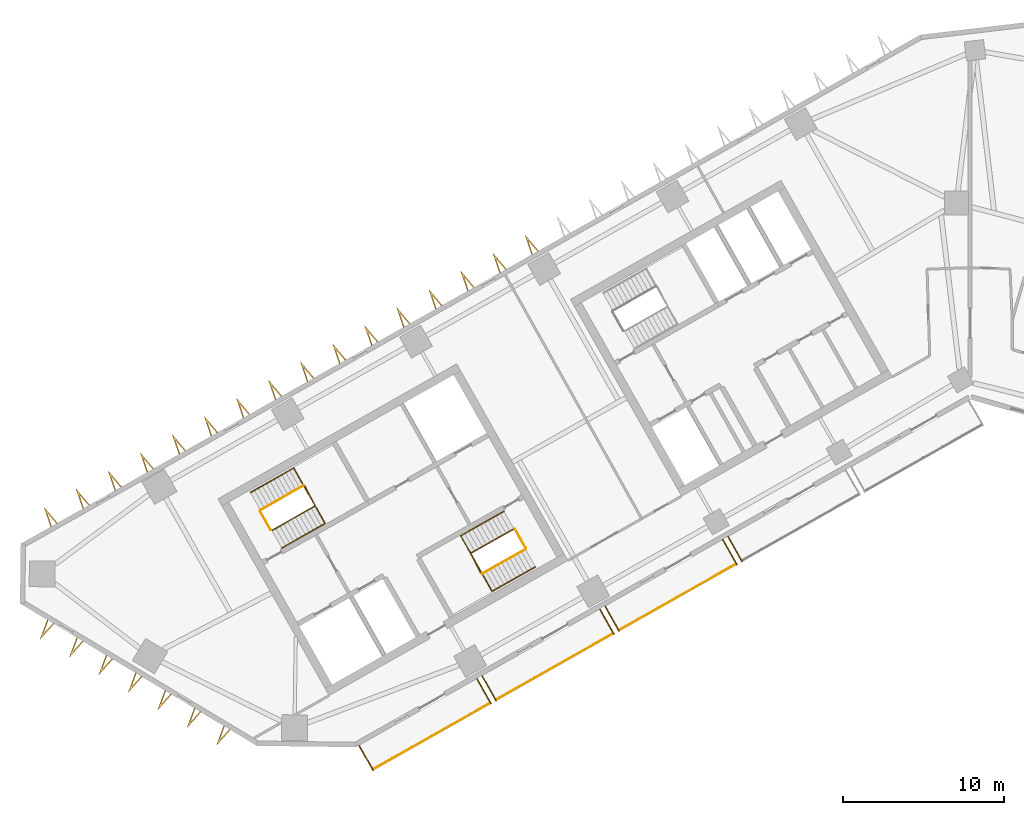
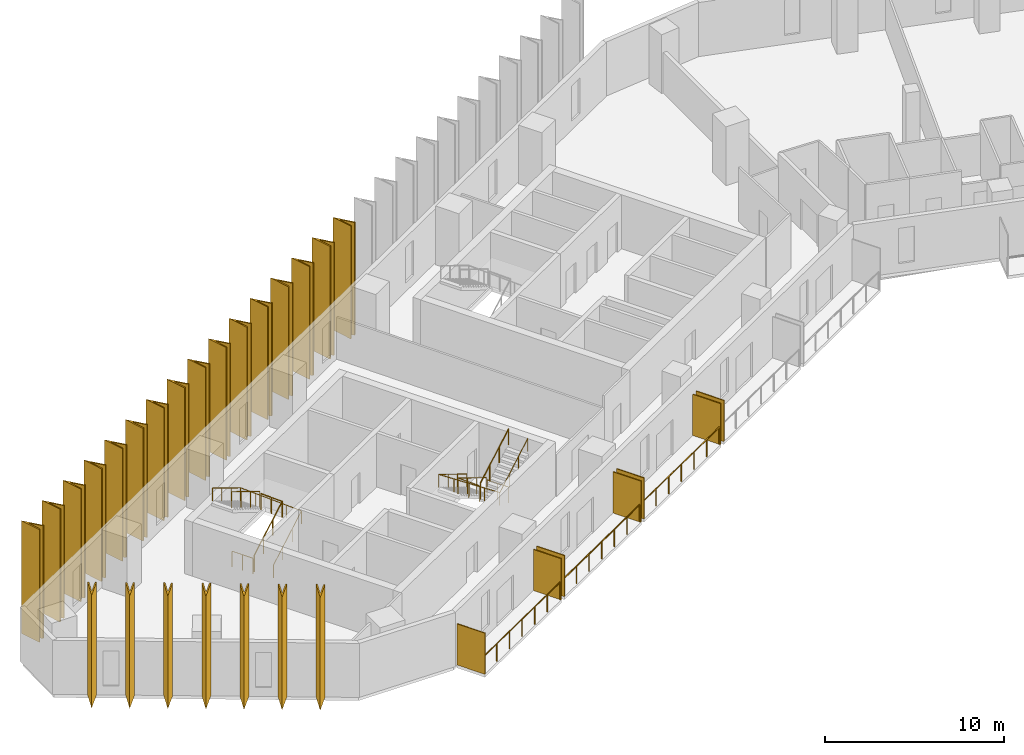
# One storey, part 8 of 10: 30 shading devices, 11 railings.
"""IFC4 building model written with IfcOpenShell, lengths in metres."""

import ifcopenshell
import ifcopenshell.guid

model = None  # the IFC model being written
_history = None  # IfcOwnerHistory: only IFC2X3 demands one
_inside = {}  # id of a spatial element -> (the spatial element, [elements in it])
_under = {}  # id of a project, library or spatial element -> (it, [spatial elements below it])
_declared = {}  # id of a project -> (the project, [libraries it declares])
_typed = {}  # id of a type object -> (the type object, [elements of that type])
_made_of = {}  # id of a material, layer set ... -> (it, [elements and type objects made of it])


def new_model(schema):
    """Start an empty IFC model of exactly this schema.

    Asked for "IFC4X3", IfcOpenShell would pick the latest addendum, in which some entities
    have other attributes; the version numbers below select the first issue.
    IFC2X3 requires an IfcOwnerHistory on every rooted entity: one is made here for all.
    """
    global model, _history
    if schema == "IFC4X3":
        model = ifcopenshell.file(schema_version=(4, 3, 0, 0))
    else:
        model = ifcopenshell.file(schema=schema)
    _inside.clear()
    _under.clear()
    _declared.clear()
    _typed.clear()
    _made_of.clear()
    _history = None
    if model.schema == "IFC2X3":
        org = make("IfcOrganization", Name="unknown")
        user = make(
            "IfcPersonAndOrganization",
            ThePerson=make("IfcPerson", FamilyName="unknown"),
            TheOrganization=org,
        )
        app = make(
            "IfcApplication",
            ApplicationDeveloper=org,
            Version="unknown",
            ApplicationFullName="unknown",
            ApplicationIdentifier="unknown",
        )
        _history = make(
            "IfcOwnerHistory",
            OwningUser=user,
            OwningApplication=app,
            ChangeAction="ADDED",
            CreationDate=0,
        )
    return model


def make(cls, **values):
    """One entity of the class cls with the attributes given. An attribute that is None is left unset."""
    return model.create_entity(
        cls, **{name: value for name, value in values.items() if value is not None}
    )


def rooted(cls, **values):
    """An entity with a GlobalId (a new one), such as an element, a storey or a relation."""
    return make(cls, GlobalId=ifcopenshell.guid.new(), OwnerHistory=_history, **values)


def si_unit(unit_type, name, prefix=None):
    """IfcSIUnit, for example si_unit("LENGTHUNIT", "METRE", prefix="MILLI")."""
    return make("IfcSIUnit", UnitType=unit_type, Prefix=prefix, Name=name)


def assignment(units):
    """IfcUnitAssignment: the units of a project."""
    return None if units is None else make("IfcUnitAssignment", Units=units)


def point(xyz):
    """IfcCartesianPoint."""
    return None if xyz is None else make("IfcCartesianPoint", Coordinates=xyz)


def direction(xyz):
    """IfcDirection."""
    return None if xyz is None else make("IfcDirection", DirectionRatios=xyz)


def frame(location, z_axis=None, x_axis=None):
    """IfcAxis2Placement3D, a coordinate frame: its origin and axes. An axis left out is left unset."""
    return make(
        "IfcAxis2Placement3D",
        Location=point(location),
        Axis=direction(z_axis),
        RefDirection=direction(x_axis),
    )


def frame_2d(location, x_axis=None):
    """IfcAxis2Placement2D, a coordinate frame in the plane: its origin and x axis."""
    return make(
        "IfcAxis2Placement2D", Location=point(location), RefDirection=direction(x_axis)
    )


def origin():
    """The frame at (0, 0, 0) with its axes left unset."""
    return frame((0.0, 0.0, 0.0))


def origin_2d():
    """The frame at (0, 0) in the plane with its x axis left unset."""
    return frame_2d((0.0, 0.0))


def place(relative_to, where):
    """IfcLocalPlacement: puts the frame where relative to a parent placement (None: the world)."""
    return make(
        "IfcLocalPlacement", PlacementRelTo=relative_to, RelativePlacement=where
    )


def context(
    kind, dimensions, precision=None, world=None, true_north=None, identifier=None
):
    """IfcGeometricRepresentationContext, for example the 3D "Model" context."""
    return make(
        "IfcGeometricRepresentationContext",
        ContextIdentifier=identifier,
        ContextType=kind,
        CoordinateSpaceDimension=dimensions,
        Precision=precision,
        WorldCoordinateSystem=world,
        TrueNorth=true_north,
    )


def subcontext(parent, identifier, kind, view, scale=None):
    """IfcGeometricRepresentationSubContext, for example "Body" below "Model"."""
    return make(
        "IfcGeometricRepresentationSubContext",
        ContextIdentifier=identifier,
        ContextType=kind,
        ParentContext=parent,
        TargetScale=scale,
        TargetView=view,
    )


def project(units=None, contexts=None):
    """IfcProject with its units and contexts."""
    return rooted(
        "IfcProject",
        Name="project",
        RepresentationContexts=contexts,
        UnitsInContext=assignment(units),
    )


def spatial(cls, under=None, at=None, **own):
    """A site, building, storey or space (cls), placed at a placement, below another one or the project."""
    s = rooted(cls, ObjectPlacement=at, **own)
    if under is not None:
        _under.setdefault(under.id(), (under, []))[1].append(s)
    return s


def polyline(points):
    """IfcPolyline through the points."""
    return make("IfcPolyline", Points=[point(p) for p in points])


def profile(cls, at=None, kind="AREA", **sizes):
    """A parametric profile (cls). Its sizes go by their IFC names, for example OverallWidth=200.0."""
    return make(cls, ProfileType=kind, Position=at, **sizes)


def rectangle(**sizes):
    """IfcRectangleProfileDef."""
    return profile("IfcRectangleProfileDef", **sizes)


def circle(**sizes):
    """IfcCircleProfileDef."""
    return profile("IfcCircleProfileDef", **sizes)


def outline(outer, holes=None, kind="AREA"):
    """IfcArbitraryClosedProfileDef: a profile drawn as a closed curve; with holes, ...WithVoids."""
    if holes is None:
        return make("IfcArbitraryClosedProfileDef", ProfileType=kind, OuterCurve=outer)
    return make(
        "IfcArbitraryProfileDefWithVoids",
        ProfileType=kind,
        OuterCurve=outer,
        InnerCurves=holes,
    )


def extrude(swept, where, along, depth):
    """IfcExtrudedAreaSolid: the profile swept, set in the frame where, extruded along a direction by depth."""
    return make(
        "IfcExtrudedAreaSolid",
        SweptArea=swept,
        Position=where,
        ExtrudedDirection=direction(along),
        Depth=depth,
    )


def shape(context_of_items, identifier, shape_type, items):
    """IfcShapeRepresentation: the items that make up one representation, for example the "Body"."""
    return make(
        "IfcShapeRepresentation",
        ContextOfItems=context_of_items,
        RepresentationIdentifier=identifier,
        RepresentationType=shape_type,
        Items=items,
    )


def material(Name=None, Category=None):
    """IfcMaterial."""
    return make("IfcMaterial", Name=Name, Category=Category)


def layer(
    of_material, thickness, ventilated=None, Name=None, Category=None, Priority=None
):
    """IfcMaterialLayer: one layer of a wall or slab, of a material (None: an air gap)."""
    return make(
        "IfcMaterialLayer",
        Material=of_material,
        LayerThickness=thickness,
        IsVentilated=ventilated,
        Name=Name,
        Category=Category,
        Priority=Priority,
    )


def layer_set(layers, Name=None):
    """IfcMaterialLayerSet."""
    return make("IfcMaterialLayerSet", MaterialLayers=layers, LayerSetName=Name)


def made_of(thing, what):
    """Note that an element or type object is made of a material, layer set ...; save() writes the relation."""
    if what is not None:
        _made_of.setdefault(what.id(), (what, []))[1].append(thing)
    return thing


def type_object(cls, material=None, **own):
    """A type object (cls), such as IfcWallType, which elements share."""
    return made_of(rooted(cls, **own), material)


def element(
    cls,
    number,
    at=None,
    inside=None,
    cuts=None,
    type_object=None,
    material=None,
    context=None,
    identifier="Body",
    shape_type=None,
    held_by="IfcProductDefinitionShape",
    body=None,
    shapes=None,
    **own,
):
    """One element of the class cls, such as IfcWall. Its Tag is "e" and its number.

    at: its placement. inside: the storey or other place that contains it. cuts: it is an
    opening in that element (IfcRelVoidsElement). A single representation is given by context,
    identifier, shape_type and body (its items); several are given by shapes. held_by: the class
    of the entity that holds the representations. save() writes the other relations.
    """
    e = rooted(cls, Tag="e%d" % number, ObjectPlacement=at, **own)
    if body is not None:
        shapes = [shape(context, identifier, shape_type, body)]
    if shapes is not None:
        e.Representation = make(held_by, Representations=shapes)
    if inside is not None:
        _inside.setdefault(inside.id(), (inside, []))[1].append(e)
    if cuts is not None:
        rooted(
            "IfcRelVoidsElement", RelatingBuildingElement=cuts, RelatedOpeningElement=e
        )
    if type_object is not None:
        _typed.setdefault(type_object.id(), (type_object, []))[1].append(e)
    return made_of(e, material)


def aggregate(whole, parts):
    """IfcRelAggregates: a whole, such as a stair, and the parts it consists of."""
    return rooted("IfcRelAggregates", RelatingObject=whole, RelatedObjects=parts)


def save(model, path):
    """Write the relations noted so far, then the file.

    IfcRelAggregates (storeys below a building ...), IfcRelContainedInSpatialStructure (elements
    in a storey), IfcRelDefinesByType, IfcRelAssociatesMaterial and IfcRelDeclares: one each for
    every whole, place, type object, material and project.
    """
    for whole, parts in _under.values():
        aggregate(whole, parts)
    for where, things in _inside.values():
        rooted(
            "IfcRelContainedInSpatialStructure",
            RelatedElements=things,
            RelatingStructure=where,
        )
    for kind, things in _typed.values():
        rooted("IfcRelDefinesByType", RelatedObjects=things, RelatingType=kind)
    for what, things in _made_of.values():
        rooted("IfcRelAssociatesMaterial", RelatedObjects=things, RelatingMaterial=what)
    for by, libraries in _declared.values():
        rooted("IfcRelDeclares", RelatingContext=by, RelatedDefinitions=libraries)
    model.write(path)


model = new_model("IFC4")

# Units and contexts
model_context = context("Model", 3, precision=1e-05, world=origin(), true_north=direction((0.0, 1.0)))
body_context = subcontext(model_context, "Body", "Model", "MODEL_VIEW")
ifc_project = project(units=[si_unit("LENGTHUNIT", "METRE"), si_unit("AREAUNIT", "SQUARE_METRE"), si_unit("VOLUMEUNIT", "CUBIC_METRE"), si_unit("PLANEANGLEUNIT", "RADIAN"), si_unit("MASSUNIT", "GRAM", prefix="KILO")], contexts=[model_context])

# Site, building, storey
site_placement = place(None, origin())
site = spatial("IfcSite", under=ifc_project, at=site_placement, CompositionType="ELEMENT")
building_placement = place(site_placement, origin())
building = spatial("IfcBuilding", under=site, at=building_placement, Name="Binnacle Exchange Tower", CompositionType="ELEMENT")
storey_placement = place(building_placement, frame((0.0, 0.0, 186.89990234375)))
storey = spatial("IfcBuildingStorey", under=building, at=storey_placement, Name="L40", CompositionType="ELEMENT", Elevation=186.89990234375)

# Railings
ifc_material_1 = material(Name="Bronze anodised aluminium frame", Category="aluminium")
railing_type_1 = type_object("IfcRailingType", Name="GUARD 1200", PredefinedType="GUARDRAIL", material=ifc_material_1)
railing_1_placement = place(storey_placement, frame((-36.994140625, 24.921142578125, 0.0)))
element("IfcRailing", 1, at=railing_1_placement, inside=storey, type_object=railing_type_1, Name="Balcony guard G01-B00 L40", PredefinedType="GUARDRAIL", context=body_context, shape_type="SweptSolid", body=[
    extrude(circle(Radius=0.02392578125, at=origin_2d()), frame((0.0, 0.0, 1.17578125), z_axis=(0.8703461643, 0.49244040684, 0.0), x_axis=(-0.49244040684, 0.8703461643, 0.0)), (0.0, 0.0, 1.0), 8.33447265625),
    extrude(circle(Radius=0.02099609375, at=origin_2d()), origin(), (0.0, 0.0, 1.0), 1.15185546875),
    extrude(circle(Radius=0.02099609375, at=origin_2d()), frame((1.208984375, 0.68408203125, 0.0)), (0.0, 0.0, 1.0), 1.15185546875),
    extrude(circle(Radius=0.02099609375, at=origin_2d()), frame((2.41796875, 1.3681640625, 0.0)), (0.0, 0.0, 1.0), 1.15185546875),
    extrude(circle(Radius=0.02099609375, at=origin_2d()), frame((3.626953125, 2.05224609375, 0.0)), (0.0, 0.0, 1.0), 1.15185546875),
    extrude(circle(Radius=0.02099609375, at=origin_2d()), frame((4.8359375, 2.736083984375, 0.0)), (0.0, 0.0, 1.0), 1.15185546875),
    extrude(circle(Radius=0.02099609375, at=origin_2d()), frame((6.044921875, 3.420166015625, 0.0)), (0.0, 0.0, 1.0), 1.15185546875),
    extrude(circle(Radius=0.02099609375, at=origin_2d()), frame((7.25390625, 4.104248046875, 0.0)), (0.0, 0.0, 1.0), 1.15185546875),
])
railing_2_placement = place(storey_placement, frame((-29.374755859375, 29.232177734375, 0.0)))
element("IfcRailing", 2, at=railing_2_placement, inside=storey, type_object=railing_type_1, Name="Balcony guard G01-B01 L40", PredefinedType="GUARDRAIL", context=body_context, shape_type="SweptSolid", body=[
    extrude(circle(Radius=0.02392578125, at=origin_2d()), frame((0.0, 0.0, 1.17578125), z_axis=(0.870365821494, 0.492405662818, 0.0), x_axis=(-0.492405662818, 0.870365821494, 0.0)), (0.0, 0.0, 1.0), 8.334716796875),
    extrude(circle(Radius=0.02099609375, at=origin_2d()), origin(), (0.0, 0.0, 1.0), 1.15185546875),
    extrude(circle(Radius=0.02099609375, at=origin_2d()), frame((1.208984375, 0.68408203125, 0.0)), (0.0, 0.0, 1.0), 1.15185546875),
    extrude(circle(Radius=0.02099609375, at=origin_2d()), frame((2.41796875, 1.367919921875, 0.0)), (0.0, 0.0, 1.0), 1.15185546875),
    extrude(circle(Radius=0.02099609375, at=origin_2d()), frame((3.626953125, 2.052001953125, 0.0)), (0.0, 0.0, 1.0), 1.15185546875),
    extrude(circle(Radius=0.02099609375, at=origin_2d()), frame((4.836181640625, 2.736083984375, 0.0)), (0.0, 0.0, 1.0), 1.15185546875),
    extrude(circle(Radius=0.02099609375, at=origin_2d()), frame((6.045166015625, 3.419921875, 0.0)), (0.0, 0.0, 1.0), 1.15185546875),
    extrude(circle(Radius=0.02099609375, at=origin_2d()), frame((7.254150390625, 4.10400390625, 0.0)), (0.0, 0.0, 1.0), 1.15185546875),
])
railing_3_placement = place(storey_placement, frame((-21.7548828125, 33.54296875, 0.0)))
element("IfcRailing", 3, at=railing_3_placement, inside=storey, type_object=railing_type_1, Name="Balcony guard G01-B02 L40", PredefinedType="GUARDRAIL", context=body_context, shape_type="SweptSolid", body=[
    extrude(circle(Radius=0.02392578125, at=origin_2d()), frame((0.0, 0.0, 1.17578125), z_axis=(0.870339060608, 0.492452961795, 0.0), x_axis=(-0.492452961795, 0.870339060608, 0.0)), (0.0, 0.0, 1.0), 8.334228515625),
    extrude(circle(Radius=0.02099609375, at=origin_2d()), origin(), (0.0, 0.0, 1.0), 1.15185546875),
    extrude(circle(Radius=0.02099609375, at=origin_2d()), frame((1.208984375, 0.68408203125, 0.0)), (0.0, 0.0, 1.0), 1.15185546875),
    extrude(circle(Radius=0.02099609375, at=origin_2d()), frame((2.41796875, 1.3681640625, 0.0)), (0.0, 0.0, 1.0), 1.15185546875),
    extrude(circle(Radius=0.02099609375, at=origin_2d()), frame((3.626953125, 2.05224609375, 0.0)), (0.0, 0.0, 1.0), 1.15185546875),
    extrude(circle(Radius=0.02099609375, at=origin_2d()), frame((4.835693359375, 2.736083984375, 0.0)), (0.0, 0.0, 1.0), 1.15185546875),
    extrude(circle(Radius=0.02099609375, at=origin_2d()), frame((6.044677734375, 3.420166015625, 0.0)), (0.0, 0.0, 1.0), 1.15185546875),
    extrude(circle(Radius=0.02099609375, at=origin_2d()), frame((7.253662109375, 4.104248046875, 0.0)), (0.0, 0.0, 1.0), 1.15185546875),
])

# Shading devices
ifc_material_2 = material(Name="Bronze aluminium louvre", Category="aluminium")
ifc_layer = layer(ifc_material_2, 0.06005859375)
ifc_layer_set = layer_set([ifc_layer], Name="PLANTED SCREEN 60x2800")
shading_device_type_1 = type_object("IfcShadingDeviceType", Name="PLANTED SCREEN 60x2800", PredefinedType="USERDEFINED", material=ifc_layer_set)
for number, where, z_axis, x_axis, name in (
    (4, (-37.424072265625, 25.6201171875, 0.0), (0.0, 0.0, 1.0), (0.87035569594, 0.492423560103, 0.0), "Planted screen G01-B00a L40"),
    (5, (-30.117919921875, 29.753662109375, 0.0), (0.0, 0.0, 1.0), (0.87035569594, 0.492423560103, 0.0), "Planted screen G01-B00b L40"),
    (6, (-29.8046875, 29.930908203125, 0.0), (0.0, 0.0, 1.0), (0.87035569594, 0.492423560103, 0.0), "Planted screen G01-B01a L40"),
    (7, (-22.498291015625, 34.064697265625, 0.0), (0.0, 0.0, 1.0), (0.87035569594, 0.492423560103, 0.0), "Planted screen G01-B01b L40"),
    (8, (-22.184814453125, 34.241943359375, 0.0), (0.0, 0.0, 1.0), (0.87035569594, 0.492423560103, 0.0), "Planted screen G01-B02a L40"),
    (9, (-14.878662109375, 38.37548828125, 0.0), (0.0, 0.0, 1.0), (0.87035569594, 0.492423560103, 0.0), "Planted screen G01-B02b L40"),
    (10, (-14.5654296875, 38.552978515625, 0.0), (0.0, 0.0, 1.0), (0.87035569594, 0.492423560103, 0.0), "Planted screen G01-B03a L40"),
):
    element("IfcShadingDevice", number, at=place(storey_placement, frame(where, z_axis=z_axis, x_axis=x_axis)), inside=storey, type_object=shading_device_type_1, Name=name, ObjectType="SCREEN", PredefinedType="USERDEFINED", context=body_context, shape_type="SweptSolid", body=[
        extrude(rectangle(XDim=0.06005859375, YDim=1.800048828125, at=origin_2d()), origin(), (0.0, 0.0, 1.0), 2.800048828125),
    ])

# Railings
ifc_material_3 = material(Name="Steel guard rail", Category="steel")
railing_type_2 = type_object("IfcRailingType", Name="STAIR GUARD 1100", PredefinedType="GUARDRAIL", material=ifc_material_3)
railing_4_placement = place(storey_placement, frame((-43.26171875, 39.71728515625, 0.166748046875)))
element("IfcRailing", 11, at=railing_4_placement, inside=storey, type_object=railing_type_2, Name="L40 STA1 stair guard 1", PredefinedType="GUARDRAIL", context=body_context, shape_type="SweptSolid", body=[
    extrude(circle(Radius=0.02392578125, at=origin_2d()), frame((0.0, 0.0, 1.076171875), z_axis=(0.747900833971, 0.423129324283, 0.511474258861), x_axis=(-0.492412445098, 0.870361984414, 0.0)), (0.0, 0.0, 1.0), 3.584228515625),
    extrude(circle(Radius=0.02392578125, at=origin_2d()), frame((2.6806640625, 1.5166015625, 2.9091796875), z_axis=(-0.461100321709, 0.887348011391, 0.0), x_axis=(-0.887348011391, -0.461100321709, 0.0)), (0.0, 0.0, 1.0), 1.40087890625),
    extrude(circle(Radius=0.02099609375, at=origin_2d()), origin(), (0.0, 0.0, 1.0), 1.052001953125),
    extrude(circle(Radius=0.02099609375, at=origin_2d()), frame((0.8935546875, 0.505615234375, 0.611083984375)), (0.0, 0.0, 1.0), 1.052001953125),
    extrude(circle(Radius=0.02099609375, at=origin_2d()), frame((1.787109375, 1.010986328125, 1.22216796875)), (0.0, 0.0, 1.0), 1.052001953125),
    extrude(circle(Radius=0.02099609375, at=origin_2d()), frame((2.6806640625, 1.5166015625, 1.833251953125)), (0.0, 0.0, 1.0), 1.052001953125),
    extrude(circle(Radius=0.02099609375, at=origin_2d()), frame((2.357666015625, 2.13818359375, 1.833251953125)), (0.0, 0.0, 1.0), 1.052001953125),
    extrude(circle(Radius=0.02099609375, at=origin_2d()), frame((2.03466796875, 2.759765625, 1.833251953125)), (0.0, 0.0, 1.0), 1.052001953125),
])
railing_5_placement = place(storey_placement, frame((-41.295166015625, 42.49609375, 2.166748046875)))
element("IfcRailing", 12, at=railing_5_placement, inside=storey, type_object=railing_type_2, Name="L40 STA1 stair guard 2", PredefinedType="GUARDRAIL", context=body_context, shape_type="SweptSolid", body=[
    extrude(circle(Radius=0.02392578125, at=origin_2d()), frame((0.0, 0.0, 1.076171875), z_axis=(-0.747879277632, -0.423185241524, 0.511459516916), x_axis=(0.492472489424, -0.870328011247, 0.0)), (0.0, 0.0, 1.0), 3.58447265625),
    extrude(circle(Radius=0.02099609375, at=origin_2d()), origin(), (0.0, 0.0, 1.0), 1.052001953125),
    extrude(circle(Radius=0.02099609375, at=origin_2d()), frame((-0.8935546875, -0.505615234375, 0.611083984375)), (0.0, 0.0, 1.0), 1.052001953125),
    extrude(circle(Radius=0.02099609375, at=origin_2d()), frame((-1.787109375, -1.01123046875, 1.22216796875)), (0.0, 0.0, 1.0), 1.052001953125),
    extrude(circle(Radius=0.02099609375, at=origin_2d()), frame((-2.6806640625, -1.516845703125, 1.833251953125)), (0.0, 0.0, 1.0), 1.052001953125),
])
railing_6_placement = place(storey_placement, frame((-43.329833984375, 39.736328125, 0.0)))
element("IfcRailing", 13, at=railing_6_placement, inside=storey, type_object=railing_type_2, Name="L40 STA1 stair guard 3", PredefinedType="GUARDRAIL", context=body_context, shape_type="SweptSolid", body=[
    extrude(circle(Radius=0.02392578125, at=origin_2d()), frame((0.0, 0.0, 1.076171875), z_axis=(-0.4924922531, 0.870316827734, 0.0), x_axis=(-0.870316827734, -0.4924922531, 0.0)), (0.0, 0.0, 1.0), 1.349853515625),
    extrude(circle(Radius=0.02099609375, at=origin_2d()), origin(), (0.0, 0.0, 1.0), 1.052001953125),
    extrude(circle(Radius=0.02099609375, at=origin_2d()), frame((-0.33251953125, 0.58740234375, 0.0)), (0.0, 0.0, 1.0), 1.052001953125),
    extrude(circle(Radius=0.02099609375, at=origin_2d()), frame((-0.664794921875, 1.1748046875, 0.0)), (0.0, 0.0, 1.0), 1.052001953125),
])
railing_7_placement = place(storey_placement, frame((-28.265380859375, 39.814453125, 0.166748046875)))
element("IfcRailing", 14, at=railing_7_placement, inside=storey, type_object=railing_type_2, Name="L40 STA2 stair guard 1", PredefinedType="GUARDRAIL", context=body_context, shape_type="SweptSolid", body=[
    extrude(circle(Radius=0.02392578125, at=origin_2d()), frame((0.0, 0.0, 1.076171875), z_axis=(-0.747900833971, -0.423129324283, 0.511474258861), x_axis=(0.492412445098, -0.870361984414, 0.0)), (0.0, 0.0, 1.0), 3.584228515625),
    extrude(circle(Radius=0.02392578125, at=origin_2d()), frame((-2.6806640625, -1.5166015625, 2.9091796875), z_axis=(0.460963092712, -0.887419307406, 0.0), x_axis=(0.887419307406, 0.460963092712, 0.0)), (0.0, 0.0, 1.0), 1.40087890625),
    extrude(circle(Radius=0.02099609375, at=origin_2d()), origin(), (0.0, 0.0, 1.0), 1.052001953125),
    extrude(circle(Radius=0.02099609375, at=origin_2d()), frame((-0.8935546875, -0.505615234375, 0.611083984375)), (0.0, 0.0, 1.0), 1.052001953125),
    extrude(circle(Radius=0.02099609375, at=origin_2d()), frame((-1.787109375, -1.010986328125, 1.22216796875)), (0.0, 0.0, 1.0), 1.052001953125),
    extrude(circle(Radius=0.02099609375, at=origin_2d()), frame((-2.6806640625, -1.5166015625, 1.833251953125)), (0.0, 0.0, 1.0), 1.052001953125),
    extrude(circle(Radius=0.02099609375, at=origin_2d()), frame((-2.35791015625, -2.13818359375, 1.833251953125)), (0.0, 0.0, 1.0), 1.052001953125),
    extrude(circle(Radius=0.02099609375, at=origin_2d()), frame((-2.034912109375, -2.759765625, 1.833251953125)), (0.0, 0.0, 1.0), 1.052001953125),
])
railing_8_placement = place(storey_placement, frame((-30.232177734375, 37.035888671875, 2.166748046875)))
element("IfcRailing", 15, at=railing_8_placement, inside=storey, type_object=railing_type_2, Name="L40 STA2 stair guard 2", PredefinedType="GUARDRAIL", context=body_context, shape_type="SweptSolid", body=[
    extrude(circle(Radius=0.02392578125, at=origin_2d()), frame((0.0, 0.0, 1.076171875), z_axis=(0.747900833971, 0.423129324283, 0.511474258861), x_axis=(-0.492412445098, 0.870361984414, 0.0)), (0.0, 0.0, 1.0), 3.584228515625),
    extrude(circle(Radius=0.02099609375, at=origin_2d()), origin(), (0.0, 0.0, 1.0), 1.052001953125),
    extrude(circle(Radius=0.02099609375, at=origin_2d()), frame((0.8935546875, 0.505615234375, 0.611083984375)), (0.0, 0.0, 1.0), 1.052001953125),
    extrude(circle(Radius=0.02099609375, at=origin_2d()), frame((1.787109375, 1.010986328125, 1.22216796875)), (0.0, 0.0, 1.0), 1.052001953125),
    extrude(circle(Radius=0.02099609375, at=origin_2d()), frame((2.6806640625, 1.5166015625, 1.833251953125)), (0.0, 0.0, 1.0), 1.052001953125),
])
railing_9_placement = place(storey_placement, frame((-28.197265625, 39.795654296875, 0.0)))
element("IfcRailing", 16, at=railing_9_placement, inside=storey, type_object=railing_type_2, Name="L40 STA2 stair guard 3", PredefinedType="GUARDRAIL", context=body_context, shape_type="SweptSolid", body=[
    extrude(circle(Radius=0.02392578125, at=origin_2d()), frame((0.0, 0.0, 1.076171875), z_axis=(0.49241474071, -0.870360685654, 0.0), x_axis=(0.870360685654, 0.49241474071, 0.0)), (0.0, 0.0, 1.0), 1.35009765625),
    extrude(circle(Radius=0.02099609375, at=origin_2d()), origin(), (0.0, 0.0, 1.0), 1.052001953125),
    extrude(circle(Radius=0.02099609375, at=origin_2d()), frame((0.33251953125, -0.58740234375, 0.0)), (0.0, 0.0, 1.0), 1.052001953125),
    extrude(circle(Radius=0.02099609375, at=origin_2d()), frame((0.664794921875, -1.175048828125, 0.0)), (0.0, 0.0, 1.0), 1.052001953125),
])
ifc_material_4 = material(Name="Steel handrail", Category="steel")
railing_type_3 = type_object("IfcRailingType", Name="STAIR HANDRAIL 900", PredefinedType="HANDRAIL", material=ifc_material_4)
railing_10_placement = place(storey_placement, frame((-42.646240234375, 38.62939453125, 0.166748046875)))
element("IfcRailing", 17, at=railing_10_placement, inside=storey, type_object=railing_type_3, Name="L40 STA1 stair handrail 1", PredefinedType="HANDRAIL", context=body_context, shape_type="SweptSolid", body=[
    extrude(circle(Radius=0.02392578125, at=origin_2d()), frame((0.0, 0.0, 0.8759765625), z_axis=(0.747900833971, 0.423129324283, 0.511474258861), x_axis=(-0.492412445098, 0.870361984414, 0.0)), (0.0, 0.0, 1.0), 3.584228515625),
    extrude(circle(Radius=0.02392578125, at=origin_2d()), frame((2.6806640625, 1.5166015625, 2.708984375), z_axis=(-0.491975462752, 0.869586854082, 0.042176382711), x_axis=(-0.870361318571, -0.492413622004, 0.0)), (0.0, 0.0, 1.0), 3.95361328125),
    extrude(circle(Radius=0.02392578125, at=origin_2d()), frame((0.735595703125, 4.95458984375, 2.8759765625), z_axis=(-0.747900833971, -0.423129324283, 0.511474258861), x_axis=(0.492412445098, -0.870361984414, 0.0)), (0.0, 0.0, 1.0), 3.584228515625),
    extrude(circle(Radius=0.02099609375, at=origin_2d()), origin(), (0.0, 0.0, 1.0), 0.851806640625),
    extrude(circle(Radius=0.02099609375, at=origin_2d()), frame((0.8935546875, 0.505615234375, 0.611083984375)), (0.0, 0.0, 1.0), 0.851806640625),
    extrude(circle(Radius=0.02099609375, at=origin_2d()), frame((1.787109375, 1.010986328125, 1.22216796875)), (0.0, 0.0, 1.0), 0.851806640625),
    extrude(circle(Radius=0.02099609375, at=origin_2d()), frame((2.6806640625, 1.5166015625, 1.833251953125)), (0.0, 0.0, 1.0), 0.851806640625),
    extrude(circle(Radius=0.02099609375, at=origin_2d()), frame((2.1943359375, 2.3759765625, 1.875)), (0.0, 0.0, 1.0), 0.851806640625),
    extrude(circle(Radius=0.02099609375, at=origin_2d()), frame((1.7080078125, 3.235595703125, 1.91650390625)), (0.0, 0.0, 1.0), 0.851806640625),
    extrude(circle(Radius=0.02099609375, at=origin_2d()), frame((1.221923828125, 4.09521484375, 1.958251953125)), (0.0, 0.0, 1.0), 0.851806640625),
    extrude(circle(Radius=0.02099609375, at=origin_2d()), frame((0.735595703125, 4.95458984375, 2.0)), (0.0, 0.0, 1.0), 0.851806640625),
    extrude(circle(Radius=0.02099609375, at=origin_2d()), frame((-0.157958984375, 4.448974609375, 2.611083984375)), (0.0, 0.0, 1.0), 0.851806640625),
    extrude(circle(Radius=0.02099609375, at=origin_2d()), frame((-1.051513671875, 3.943603515625, 3.22216796875)), (0.0, 0.0, 1.0), 0.851806640625),
    extrude(circle(Radius=0.02099609375, at=origin_2d()), frame((-1.945068359375, 3.43798828125, 3.833251953125)), (0.0, 0.0, 1.0), 0.851806640625),
])
railing_11_placement = place(storey_placement, frame((-28.880859375, 40.90234375, 0.166748046875)))
element("IfcRailing", 18, at=railing_11_placement, inside=storey, type_object=railing_type_3, Name="L40 STA2 stair handrail 1", PredefinedType="HANDRAIL", context=body_context, shape_type="SweptSolid", body=[
    extrude(circle(Radius=0.02392578125, at=origin_2d()), frame((0.0, 0.0, 0.8759765625), z_axis=(-0.747930846092, -0.423107769413, 0.511448203561), x_axis=(0.492378474645, -0.870381202524, 0.0)), (0.0, 0.0, 1.0), 3.58447265625),
    extrude(circle(Radius=0.02392578125, at=origin_2d()), frame((-2.680908203125, -1.5166015625, 2.708984375), z_axis=(0.491975462752, -0.869586854082, 0.042176382711), x_axis=(0.870361318571, 0.492413622004, 0.0)), (0.0, 0.0, 1.0), 3.95361328125),
    extrude(circle(Radius=0.02392578125, at=origin_2d()), frame((-0.73583984375, -4.95458984375, 2.8759765625), z_axis=(0.747909291085, 0.423163685048, 0.51143346387), x_axis=(-0.49243851748, 0.870347233294, 0.0)), (0.0, 0.0, 1.0), 3.58447265625),
    extrude(circle(Radius=0.02099609375, at=origin_2d()), origin(), (0.0, 0.0, 1.0), 0.851806640625),
    extrude(circle(Radius=0.02099609375, at=origin_2d()), frame((-0.8935546875, -0.505615234375, 0.611083984375)), (0.0, 0.0, 1.0), 0.851806640625),
    extrude(circle(Radius=0.02099609375, at=origin_2d()), frame((-1.787353515625, -1.010986328125, 1.22216796875)), (0.0, 0.0, 1.0), 0.851806640625),
    extrude(circle(Radius=0.02099609375, at=origin_2d()), frame((-2.680908203125, -1.5166015625, 1.833251953125)), (0.0, 0.0, 1.0), 0.851806640625),
    extrude(circle(Radius=0.02099609375, at=origin_2d()), frame((-2.194580078125, -2.3759765625, 1.875)), (0.0, 0.0, 1.0), 0.851806640625),
    extrude(circle(Radius=0.02099609375, at=origin_2d()), frame((-1.70849609375, -3.235595703125, 1.91650390625)), (0.0, 0.0, 1.0), 0.851806640625),
    extrude(circle(Radius=0.02099609375, at=origin_2d()), frame((-1.22216796875, -4.09521484375, 1.958251953125)), (0.0, 0.0, 1.0), 0.851806640625),
    extrude(circle(Radius=0.02099609375, at=origin_2d()), frame((-0.73583984375, -4.95458984375, 2.0)), (0.0, 0.0, 1.0), 0.851806640625),
    extrude(circle(Radius=0.02099609375, at=origin_2d()), frame((0.15771484375, -4.448974609375, 2.611083984375)), (0.0, 0.0, 1.0), 0.851806640625),
    extrude(circle(Radius=0.02099609375, at=origin_2d()), frame((1.051513671875, -3.943359375, 3.22216796875)), (0.0, 0.0, 1.0), 0.851806640625),
    extrude(circle(Radius=0.02099609375, at=origin_2d()), frame((1.945068359375, -3.437744140625, 3.833251953125)), (0.0, 0.0, 1.0), 0.851806640625),
])

# Shading devices
ifc_material_5 = material(Name="Bronze aluminium cladding", Category="aluminium")
shading_device_type_2 = type_object("IfcShadingDeviceType", Name="V FIN 1300 DEEP x 7680 HIGH", PredefinedType="USERDEFINED", material=ifc_material_5)
shading_device_1_placement = place(storey_placement, origin())
element("IfcShadingDevice", 19, at=shading_device_1_placement, inside=storey, type_object=shading_device_type_2, Name="V fin FN-G08-12 L40", ObjectType="FIN", PredefinedType="USERDEFINED", context=body_context, shape_type="SweptSolid", body=[
    extrude(outline(polyline([(-26.7412109375, 57.04296875), (-27.59912109375, 58.05126953125), (-27.176513671875, 56.796630859375), (-27.10546875, 56.8369140625), (-27.390380859375, 57.6826171875), (-26.81201171875, 57.002685546875), (-26.7412109375, 57.04296875)])), origin(), (0.0, 0.0, 1.0), 7.68017578125),
])
shading_device_2_placement = place(storey_placement, origin())
element("IfcShadingDevice", 20, at=shading_device_2_placement, inside=storey, type_object=shading_device_type_2, Name="V fin FN-G08-13 L40", ObjectType="FIN", PredefinedType="USERDEFINED", context=body_context, shape_type="SweptSolid", body=[
    extrude(outline(polyline([(-28.727783203125, 55.9189453125), (-29.58544921875, 56.92724609375), (-29.162841796875, 55.672607421875), (-29.092041015625, 55.712890625), (-29.376708984375, 56.55859375), (-28.798583984375, 55.87890625), (-28.727783203125, 55.9189453125)])), origin(), (0.0, 0.0, 1.0), 7.68017578125),
])
shading_device_3_placement = place(storey_placement, origin())
element("IfcShadingDevice", 21, at=shading_device_3_placement, inside=storey, type_object=shading_device_type_2, Name="V fin FN-G08-14 L40", ObjectType="FIN", PredefinedType="USERDEFINED", context=body_context, shape_type="SweptSolid", body=[
    extrude(outline(polyline([(-30.71435546875, 54.794921875), (-31.572021484375, 55.803466796875), (-31.1494140625, 54.548828125), (-31.07861328125, 54.5888671875), (-31.36328125, 55.434814453125), (-30.78515625, 54.7548828125), (-30.71435546875, 54.794921875)])), origin(), (0.0, 0.0, 1.0), 7.68017578125),
])
shading_device_4_placement = place(storey_placement, origin())
element("IfcShadingDevice", 22, at=shading_device_4_placement, inside=storey, type_object=shading_device_type_2, Name="V fin FN-G08-15 L40", ObjectType="FIN", PredefinedType="USERDEFINED", context=body_context, shape_type="SweptSolid", body=[
    extrude(outline(polyline([(-32.70068359375, 53.6708984375), (-33.55859375, 54.679443359375), (-33.135986328125, 53.4248046875), (-33.065185546875, 53.46484375), (-33.349853515625, 54.310791015625), (-32.771728515625, 53.630859375), (-32.70068359375, 53.6708984375)])), origin(), (0.0, 0.0, 1.0), 7.68017578125),
])
shading_device_5_placement = place(storey_placement, origin())
element("IfcShadingDevice", 23, at=shading_device_5_placement, inside=storey, type_object=shading_device_type_2, Name="V fin FN-G08-16 L40", ObjectType="FIN", PredefinedType="USERDEFINED", context=body_context, shape_type="SweptSolid", body=[
    extrude(outline(polyline([(-34.687255859375, 52.547119140625), (-35.545166015625, 53.555419921875), (-35.12255859375, 52.30078125), (-35.051513671875, 52.341064453125), (-35.33642578125, 53.186767578125), (-34.75830078125, 52.507080078125), (-34.687255859375, 52.547119140625)])), origin(), (0.0, 0.0, 1.0), 7.68017578125),
])
shading_device_6_placement = place(storey_placement, origin())
element("IfcShadingDevice", 24, at=shading_device_6_placement, inside=storey, type_object=shading_device_type_2, Name="V fin FN-G08-17 L40", ObjectType="FIN", PredefinedType="USERDEFINED", context=body_context, shape_type="SweptSolid", body=[
    extrude(outline(polyline([(-36.673828125, 51.423095703125), (-37.53173828125, 52.431640625), (-37.109130859375, 51.177001953125), (-37.0380859375, 51.217041015625), (-37.322998046875, 52.06298828125), (-36.744873046875, 51.383056640625), (-36.673828125, 51.423095703125)])), origin(), (0.0, 0.0, 1.0), 7.68017578125),
])
shading_device_7_placement = place(storey_placement, origin())
element("IfcShadingDevice", 25, at=shading_device_7_placement, inside=storey, type_object=shading_device_type_2, Name="V fin FN-G08-18 L40", ObjectType="FIN", PredefinedType="USERDEFINED", context=body_context, shape_type="SweptSolid", body=[
    extrude(outline(polyline([(-38.660400390625, 50.29931640625), (-39.518310546875, 51.3076171875), (-39.095703125, 50.052978515625), (-39.02490234375, 50.093017578125), (-39.3095703125, 50.93896484375), (-38.7314453125, 50.259033203125), (-38.660400390625, 50.29931640625)])), origin(), (0.0, 0.0, 1.0), 7.68017578125),
])
shading_device_8_placement = place(storey_placement, origin())
element("IfcShadingDevice", 26, at=shading_device_8_placement, inside=storey, type_object=shading_device_type_2, Name="V fin FN-G08-19 L40", ObjectType="FIN", PredefinedType="USERDEFINED", context=body_context, shape_type="SweptSolid", body=[
    extrude(outline(polyline([(-40.64697265625, 49.17529296875), (-41.5048828125, 50.18359375), (-41.082275390625, 48.92919921875), (-41.01123046875, 48.96923828125), (-41.296142578125, 49.81494140625), (-40.718017578125, 49.13525390625), (-40.64697265625, 49.17529296875)])), origin(), (0.0, 0.0, 1.0), 7.68017578125),
])
shading_device_9_placement = place(storey_placement, origin())
element("IfcShadingDevice", 27, at=shading_device_9_placement, inside=storey, type_object=shading_device_type_2, Name="V fin FN-G08-20 L40", ObjectType="FIN", PredefinedType="USERDEFINED", context=body_context, shape_type="SweptSolid", body=[
    extrude(outline(polyline([(-42.633544921875, 48.05126953125), (-43.491455078125, 49.059814453125), (-43.06884765625, 47.80517578125), (-42.997802734375, 47.84521484375), (-43.28271484375, 48.69091796875), (-42.70458984375, 48.01123046875), (-42.633544921875, 48.05126953125)])), origin(), (0.0, 0.0, 1.0), 7.68017578125),
])
shading_device_10_placement = place(storey_placement, origin())
element("IfcShadingDevice", 28, at=shading_device_10_placement, inside=storey, type_object=shading_device_type_2, Name="V fin FN-G08-21 L40", ObjectType="FIN", PredefinedType="USERDEFINED", context=body_context, shape_type="SweptSolid", body=[
    extrude(outline(polyline([(-44.6201171875, 46.927490234375), (-45.47802734375, 47.935791015625), (-45.055419921875, 46.68115234375), (-44.984619140625, 46.72119140625), (-45.269287109375, 47.567138671875), (-44.691162109375, 46.88720703125), (-44.6201171875, 46.927490234375)])), origin(), (0.0, 0.0, 1.0), 7.68017578125),
])
shading_device_11_placement = place(storey_placement, origin())
element("IfcShadingDevice", 29, at=shading_device_11_placement, inside=storey, type_object=shading_device_type_2, Name="V fin FN-G08-22 L40", ObjectType="FIN", PredefinedType="USERDEFINED", context=body_context, shape_type="SweptSolid", body=[
    extrude(outline(polyline([(-46.606689453125, 45.803466796875), (-47.464599609375, 46.81201171875), (-47.0419921875, 45.557373046875), (-46.970947265625, 45.597412109375), (-47.255859375, 46.443115234375), (-46.677490234375, 45.763427734375), (-46.606689453125, 45.803466796875)])), origin(), (0.0, 0.0, 1.0), 7.68017578125),
])
shading_device_12_placement = place(storey_placement, origin())
element("IfcShadingDevice", 30, at=shading_device_12_placement, inside=storey, type_object=shading_device_type_2, Name="V fin FN-G08-23 L40", ObjectType="FIN", PredefinedType="USERDEFINED", context=body_context, shape_type="SweptSolid", body=[
    extrude(outline(polyline([(-48.59326171875, 44.679443359375), (-49.451171875, 45.68798828125), (-49.028564453125, 44.433349609375), (-48.95751953125, 44.473388671875), (-49.242431640625, 45.319091796875), (-48.664306640625, 44.639404296875), (-48.59326171875, 44.679443359375)])), origin(), (0.0, 0.0, 1.0), 7.68017578125),
])
shading_device_13_placement = place(storey_placement, origin())
element("IfcShadingDevice", 31, at=shading_device_13_placement, inside=storey, type_object=shading_device_type_2, Name="V fin FN-G08-24 L40", ObjectType="FIN", PredefinedType="USERDEFINED", context=body_context, shape_type="SweptSolid", body=[
    extrude(outline(polyline([(-50.579833984375, 43.5556640625), (-51.4375, 44.56396484375), (-51.014892578125, 43.309326171875), (-50.944091796875, 43.349609375), (-51.22900390625, 44.1953125), (-50.650634765625, 43.515380859375), (-50.579833984375, 43.5556640625)])), origin(), (0.0, 0.0, 1.0), 7.68017578125),
])
shading_device_14_placement = place(storey_placement, origin())
element("IfcShadingDevice", 32, at=shading_device_14_placement, inside=storey, type_object=shading_device_type_2, Name="V fin FN-G08-25 L40", ObjectType="FIN", PredefinedType="USERDEFINED", context=body_context, shape_type="SweptSolid", body=[
    extrude(outline(polyline([(-52.56640625, 42.431640625), (-53.42431640625, 43.440185546875), (-53.001708984375, 42.185546875), (-52.9306640625, 42.2255859375), (-53.215576171875, 43.0712890625), (-52.63720703125, 42.3916015625), (-52.56640625, 42.431640625)])), origin(), (0.0, 0.0, 1.0), 7.68017578125),
])
shading_device_15_placement = place(storey_placement, origin())
element("IfcShadingDevice", 33, at=shading_device_15_placement, inside=storey, type_object=shading_device_type_2, Name="V fin FN-G08-26 L40", ObjectType="FIN", PredefinedType="USERDEFINED", context=body_context, shape_type="SweptSolid", body=[
    extrude(outline(polyline([(-54.552978515625, 41.3076171875), (-55.410888671875, 42.316162109375), (-54.98828125, 41.0615234375), (-54.917236328125, 41.1015625), (-55.2021484375, 41.947509765625), (-54.623779296875, 41.267578125), (-54.552978515625, 41.3076171875)])), origin(), (0.0, 0.0, 1.0), 7.68017578125),
])
shading_device_16_placement = place(storey_placement, origin())
element("IfcShadingDevice", 34, at=shading_device_16_placement, inside=storey, type_object=shading_device_type_2, Name="V fin FN-G08-27 L40", ObjectType="FIN", PredefinedType="USERDEFINED", context=body_context, shape_type="SweptSolid", body=[
    extrude(outline(polyline([(-56.53955078125, 40.183837890625), (-57.397216796875, 41.192138671875), (-56.974609375, 39.9375), (-56.90380859375, 39.977783203125), (-57.188720703125, 40.823486328125), (-56.6103515625, 40.143798828125), (-56.53955078125, 40.183837890625)])), origin(), (0.0, 0.0, 1.0), 7.68017578125),
])
shading_device_17_placement = place(storey_placement, origin())
element("IfcShadingDevice", 35, at=shading_device_17_placement, inside=storey, type_object=shading_device_type_2, Name="V fin FN-G10-01 L40", ObjectType="FIN", PredefinedType="USERDEFINED", context=body_context, shape_type="SweptSolid", body=[
    extrude(outline(polyline([(-57.18603515625, 34.185791015625), (-57.641357421875, 32.94287109375), (-56.757568359375, 33.92822265625), (-56.827392578125, 33.97021484375), (-57.423095703125, 33.305908203125), (-57.1162109375, 34.143798828125), (-57.18603515625, 34.185791015625)])), origin(), (0.0, 0.0, 1.0), 7.68017578125),
])
shading_device_18_placement = place(storey_placement, origin())
element("IfcShadingDevice", 36, at=shading_device_18_placement, inside=storey, type_object=shading_device_type_2, Name="V fin FN-G10-02 L40", ObjectType="FIN", PredefinedType="USERDEFINED", context=body_context, shape_type="SweptSolid", body=[
    extrude(outline(polyline([(-55.364501953125, 33.09130859375), (-55.81982421875, 31.848388671875), (-54.93603515625, 32.833740234375), (-55.005859375, 32.875732421875), (-55.601806640625, 32.21142578125), (-55.294921875, 33.04931640625), (-55.364501953125, 33.09130859375)])), origin(), (0.0, 0.0, 1.0), 7.68017578125),
])
shading_device_19_placement = place(storey_placement, origin())
element("IfcShadingDevice", 37, at=shading_device_19_placement, inside=storey, type_object=shading_device_type_2, Name="V fin FN-G10-03 L40", ObjectType="FIN", PredefinedType="USERDEFINED", context=body_context, shape_type="SweptSolid", body=[
    extrude(outline(polyline([(-53.543212890625, 31.9970703125), (-53.998291015625, 30.75390625), (-53.114501953125, 31.739501953125), (-53.184326171875, 31.781494140625), (-53.7802734375, 31.116943359375), (-53.473388671875, 31.955078125), (-53.543212890625, 31.9970703125)])), origin(), (0.0, 0.0, 1.0), 7.68017578125),
])
shading_device_20_placement = place(storey_placement, origin())
element("IfcShadingDevice", 38, at=shading_device_20_placement, inside=storey, type_object=shading_device_type_2, Name="V fin FN-G10-04 L40", ObjectType="FIN", PredefinedType="USERDEFINED", context=body_context, shape_type="SweptSolid", body=[
    extrude(outline(polyline([(-51.7216796875, 30.902587890625), (-52.1767578125, 29.659423828125), (-51.29296875, 30.64501953125), (-51.36279296875, 30.68701171875), (-51.958740234375, 30.0224609375), (-51.65185546875, 30.860595703125), (-51.7216796875, 30.902587890625)])), origin(), (0.0, 0.0, 1.0), 7.68017578125),
])
shading_device_21_placement = place(storey_placement, origin())
element("IfcShadingDevice", 39, at=shading_device_21_placement, inside=storey, type_object=shading_device_type_2, Name="V fin FN-G10-05 L40", ObjectType="FIN", PredefinedType="USERDEFINED", context=body_context, shape_type="SweptSolid", body=[
    extrude(outline(polyline([(-49.900146484375, 29.80810546875), (-50.35546875, 28.56494140625), (-49.4716796875, 29.55029296875), (-49.54150390625, 29.59228515625), (-50.13720703125, 28.927978515625), (-49.830322265625, 29.76611328125), (-49.900146484375, 29.80810546875)])), origin(), (0.0, 0.0, 1.0), 7.68017578125),
])
shading_device_22_placement = place(storey_placement, origin())
element("IfcShadingDevice", 40, at=shading_device_22_placement, inside=storey, type_object=shading_device_type_2, Name="V fin FN-G10-06 L40", ObjectType="FIN", PredefinedType="USERDEFINED", context=body_context, shape_type="SweptSolid", body=[
    extrude(outline(polyline([(-48.07861328125, 28.713623046875), (-48.533935546875, 27.470458984375), (-47.650146484375, 28.4560546875), (-47.719970703125, 28.498046875), (-48.31591796875, 27.83349609375), (-48.0087890625, 28.671630859375), (-48.07861328125, 28.713623046875)])), origin(), (0.0, 0.0, 1.0), 7.68017578125),
])
shading_device_23_placement = place(storey_placement, origin())
element("IfcShadingDevice", 41, at=shading_device_23_placement, inside=storey, type_object=shading_device_type_2, Name="V fin FN-G10-07 L40", ObjectType="FIN", PredefinedType="USERDEFINED", context=body_context, shape_type="SweptSolid", body=[
    extrude(outline(polyline([(-46.257080078125, 27.619140625), (-46.71240234375, 26.3759765625), (-45.82861328125, 27.361572265625), (-45.8984375, 27.403564453125), (-46.494384765625, 26.739013671875), (-46.1875, 27.5771484375), (-46.257080078125, 27.619140625)])), origin(), (0.0, 0.0, 1.0), 7.68017578125),
])

save(model, "model.ifc")
